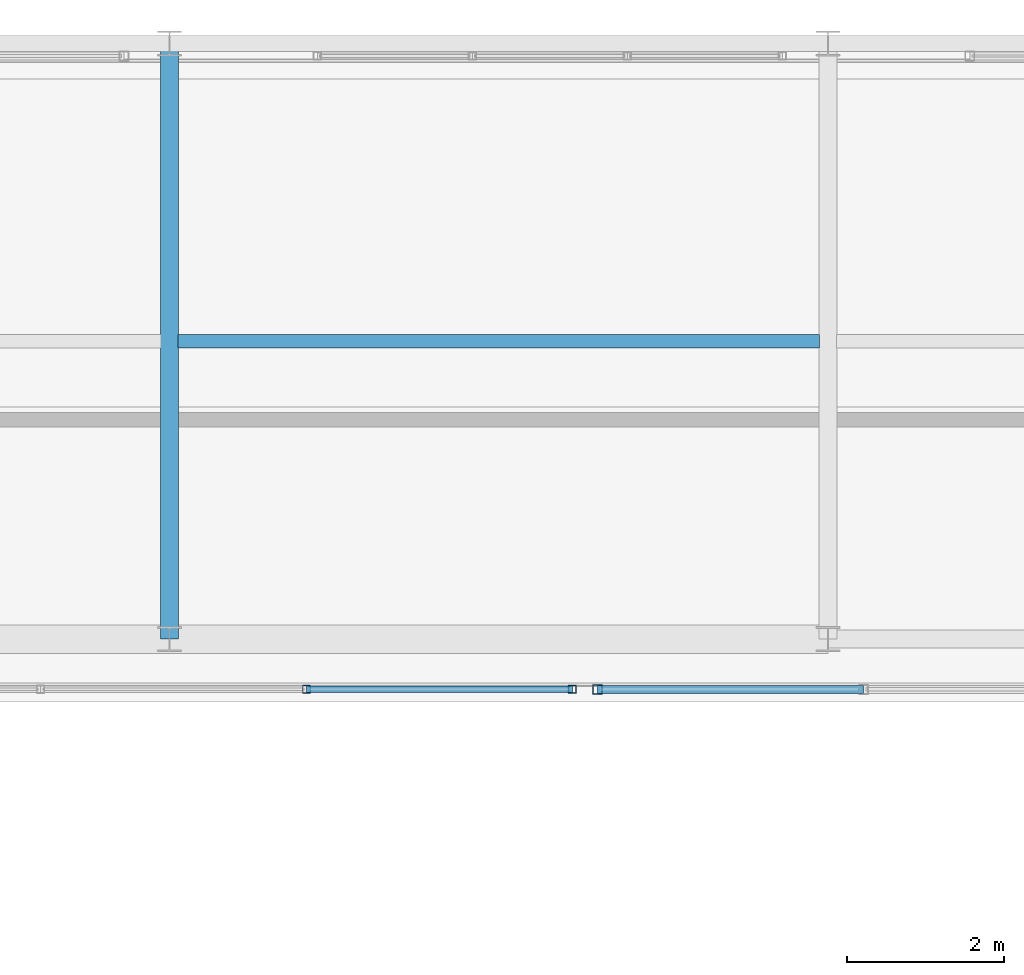
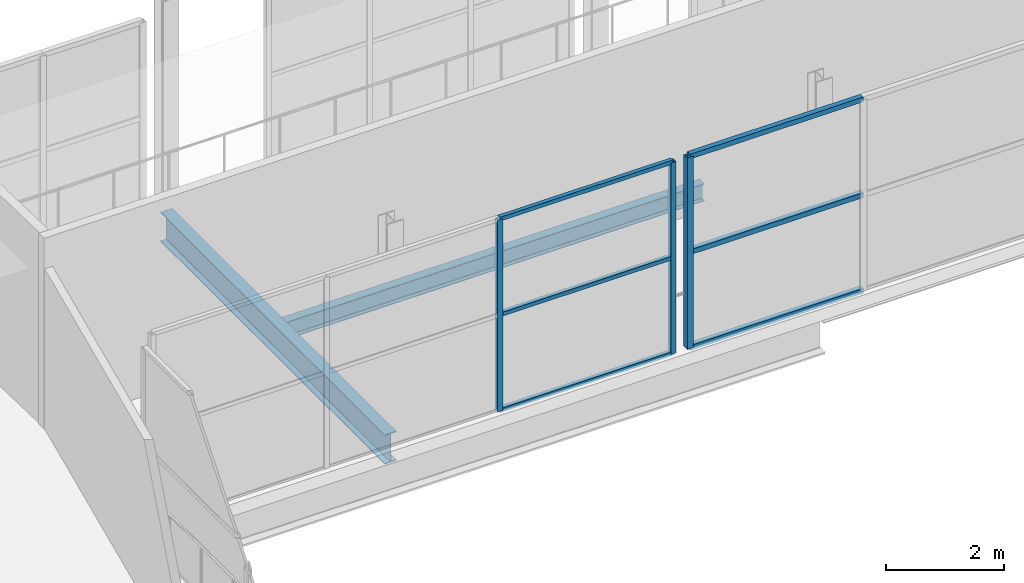
# One storey, part 57 of 151: 9 members, 2 beams, 2 elements without a shape of their own.
"""IFC4 building model written with IfcOpenShell, lengths in metres."""

import ifcopenshell
import ifcopenshell.guid

model = None  # the IFC model being written
_history = None  # IfcOwnerHistory: only IFC2X3 demands one
_inside = {}  # id of a spatial element -> (the spatial element, [elements in it])
_under = {}  # id of a project, library or spatial element -> (it, [spatial elements below it])
_declared = {}  # id of a project -> (the project, [libraries it declares])
_typed = {}  # id of a type object -> (the type object, [elements of that type])
_made_of = {}  # id of a material, layer set ... -> (it, [elements and type objects made of it])


def new_model(schema):
    """Start an empty IFC model of exactly this schema.

    Asked for "IFC4X3", IfcOpenShell would pick the latest addendum, in which some entities
    have other attributes; the version numbers below select the first issue.
    IFC2X3 requires an IfcOwnerHistory on every rooted entity: one is made here for all.
    """
    global model, _history
    if schema == "IFC4X3":
        model = ifcopenshell.file(schema_version=(4, 3, 0, 0))
    else:
        model = ifcopenshell.file(schema=schema)
    _inside.clear()
    _under.clear()
    _declared.clear()
    _typed.clear()
    _made_of.clear()
    _history = None
    if model.schema == "IFC2X3":
        org = make("IfcOrganization", Name="unknown")
        user = make(
            "IfcPersonAndOrganization",
            ThePerson=make("IfcPerson", FamilyName="unknown"),
            TheOrganization=org,
        )
        app = make(
            "IfcApplication",
            ApplicationDeveloper=org,
            Version="unknown",
            ApplicationFullName="unknown",
            ApplicationIdentifier="unknown",
        )
        _history = make(
            "IfcOwnerHistory",
            OwningUser=user,
            OwningApplication=app,
            ChangeAction="ADDED",
            CreationDate=0,
        )
    return model


def make(cls, **values):
    """One entity of the class cls with the attributes given. An attribute that is None is left unset."""
    return model.create_entity(
        cls, **{name: value for name, value in values.items() if value is not None}
    )


def rooted(cls, **values):
    """An entity with a GlobalId (a new one), such as an element, a storey or a relation."""
    return make(cls, GlobalId=ifcopenshell.guid.new(), OwnerHistory=_history, **values)


def si_unit(unit_type, name, prefix=None):
    """IfcSIUnit, for example si_unit("LENGTHUNIT", "METRE", prefix="MILLI")."""
    return make("IfcSIUnit", UnitType=unit_type, Prefix=prefix, Name=name)


def assignment(units):
    """IfcUnitAssignment: the units of a project."""
    return None if units is None else make("IfcUnitAssignment", Units=units)


def point(xyz):
    """IfcCartesianPoint."""
    return None if xyz is None else make("IfcCartesianPoint", Coordinates=xyz)


def direction(xyz):
    """IfcDirection."""
    return None if xyz is None else make("IfcDirection", DirectionRatios=xyz)


def frame(location, z_axis=None, x_axis=None):
    """IfcAxis2Placement3D, a coordinate frame: its origin and axes. An axis left out is left unset."""
    return make(
        "IfcAxis2Placement3D",
        Location=point(location),
        Axis=direction(z_axis),
        RefDirection=direction(x_axis),
    )


def frame_2d(location, x_axis=None):
    """IfcAxis2Placement2D, a coordinate frame in the plane: its origin and x axis."""
    return make(
        "IfcAxis2Placement2D", Location=point(location), RefDirection=direction(x_axis)
    )


def origin():
    """The frame at (0, 0, 0) with its axes left unset."""
    return frame((0.0, 0.0, 0.0))


def origin_2d():
    """The frame at (0, 0) in the plane with its x axis left unset."""
    return frame_2d((0.0, 0.0))


def place(relative_to, where):
    """IfcLocalPlacement: puts the frame where relative to a parent placement (None: the world)."""
    return make(
        "IfcLocalPlacement", PlacementRelTo=relative_to, RelativePlacement=where
    )


def context(
    kind, dimensions, precision=None, world=None, true_north=None, identifier=None
):
    """IfcGeometricRepresentationContext, for example the 3D "Model" context."""
    return make(
        "IfcGeometricRepresentationContext",
        ContextIdentifier=identifier,
        ContextType=kind,
        CoordinateSpaceDimension=dimensions,
        Precision=precision,
        WorldCoordinateSystem=world,
        TrueNorth=true_north,
    )


def subcontext(parent, identifier, kind, view, scale=None):
    """IfcGeometricRepresentationSubContext, for example "Body" below "Model"."""
    return make(
        "IfcGeometricRepresentationSubContext",
        ContextIdentifier=identifier,
        ContextType=kind,
        ParentContext=parent,
        TargetScale=scale,
        TargetView=view,
    )


def project(units=None, contexts=None):
    """IfcProject with its units and contexts."""
    return rooted(
        "IfcProject",
        Name="project",
        RepresentationContexts=contexts,
        UnitsInContext=assignment(units),
    )


def spatial(cls, under=None, at=None, **own):
    """A site, building, storey or space (cls), placed at a placement, below another one or the project."""
    s = rooted(cls, ObjectPlacement=at, **own)
    if under is not None:
        _under.setdefault(under.id(), (under, []))[1].append(s)
    return s


def profile(cls, at=None, kind="AREA", **sizes):
    """A parametric profile (cls). Its sizes go by their IFC names, for example OverallWidth=200.0."""
    return make(cls, ProfileType=kind, Position=at, **sizes)


def hollow_rectangle(**sizes):
    """IfcRectangleHollowProfileDef."""
    return profile("IfcRectangleHollowProfileDef", **sizes)


def i_section(**sizes):
    """IfcIShapeProfileDef."""
    return profile("IfcIShapeProfileDef", **sizes)


def extrude(swept, where, along, depth):
    """IfcExtrudedAreaSolid: the profile swept, set in the frame where, extruded along a direction by depth."""
    return make(
        "IfcExtrudedAreaSolid",
        SweptArea=swept,
        Position=where,
        ExtrudedDirection=direction(along),
        Depth=depth,
    )


def shape(context_of_items, identifier, shape_type, items):
    """IfcShapeRepresentation: the items that make up one representation, for example the "Body"."""
    return make(
        "IfcShapeRepresentation",
        ContextOfItems=context_of_items,
        RepresentationIdentifier=identifier,
        RepresentationType=shape_type,
        Items=items,
    )


def material(Name=None, Category=None):
    """IfcMaterial."""
    return make("IfcMaterial", Name=Name, Category=Category)


def material_profile(
    of_material, cross_section, Name=None, Category=None, Priority=None
):
    """IfcMaterialProfile: a cross section and its material."""
    return make(
        "IfcMaterialProfile",
        Name=Name,
        Material=of_material,
        Profile=cross_section,
        Priority=Priority,
        Category=Category,
    )


def profile_set(profiles, Name=None, composite=None):
    """IfcMaterialProfileSet."""
    return make(
        "IfcMaterialProfileSet",
        Name=Name,
        MaterialProfiles=profiles,
        CompositeProfile=composite,
    )


def made_of(thing, what):
    """Note that an element or type object is made of a material, layer set ...; save() writes the relation."""
    if what is not None:
        _made_of.setdefault(what.id(), (what, []))[1].append(thing)
    return thing


def type_object(cls, material=None, **own):
    """A type object (cls), such as IfcWallType, which elements share."""
    return made_of(rooted(cls, **own), material)


def element(
    cls,
    number,
    at=None,
    inside=None,
    cuts=None,
    type_object=None,
    material=None,
    context=None,
    identifier="Body",
    shape_type=None,
    held_by="IfcProductDefinitionShape",
    body=None,
    shapes=None,
    **own,
):
    """One element of the class cls, such as IfcWall. Its Tag is "e" and its number.

    at: its placement. inside: the storey or other place that contains it. cuts: it is an
    opening in that element (IfcRelVoidsElement). A single representation is given by context,
    identifier, shape_type and body (its items); several are given by shapes. held_by: the class
    of the entity that holds the representations. save() writes the other relations.
    """
    e = rooted(cls, Tag="e%d" % number, ObjectPlacement=at, **own)
    if body is not None:
        shapes = [shape(context, identifier, shape_type, body)]
    if shapes is not None:
        e.Representation = make(held_by, Representations=shapes)
    if inside is not None:
        _inside.setdefault(inside.id(), (inside, []))[1].append(e)
    if cuts is not None:
        rooted(
            "IfcRelVoidsElement", RelatingBuildingElement=cuts, RelatedOpeningElement=e
        )
    if type_object is not None:
        _typed.setdefault(type_object.id(), (type_object, []))[1].append(e)
    return made_of(e, material)


def aggregate(whole, parts):
    """IfcRelAggregates: a whole, such as a stair, and the parts it consists of."""
    return rooted("IfcRelAggregates", RelatingObject=whole, RelatedObjects=parts)


def save(model, path):
    """Write the relations noted so far, then the file.

    IfcRelAggregates (storeys below a building ...), IfcRelContainedInSpatialStructure (elements
    in a storey), IfcRelDefinesByType, IfcRelAssociatesMaterial and IfcRelDeclares: one each for
    every whole, place, type object, material and project.
    """
    for whole, parts in _under.values():
        aggregate(whole, parts)
    for where, things in _inside.values():
        rooted(
            "IfcRelContainedInSpatialStructure",
            RelatedElements=things,
            RelatingStructure=where,
        )
    for kind, things in _typed.values():
        rooted("IfcRelDefinesByType", RelatedObjects=things, RelatingType=kind)
    for what, things in _made_of.values():
        rooted("IfcRelAssociatesMaterial", RelatedObjects=things, RelatingMaterial=what)
    for by, libraries in _declared.values():
        rooted("IfcRelDeclares", RelatingContext=by, RelatedDefinitions=libraries)
    model.write(path)


model = new_model("IFC4")

# Units and contexts
model_context = context("Model", 3, precision=1e-05, world=origin(), true_north=direction((0.0, 1.0)))
body_context = subcontext(model_context, "Body", "Model", "MODEL_VIEW")
ifc_project = project(units=[si_unit("LENGTHUNIT", "METRE"), si_unit("AREAUNIT", "SQUARE_METRE"), si_unit("VOLUMEUNIT", "CUBIC_METRE"), si_unit("PLANEANGLEUNIT", "RADIAN"), si_unit("MASSUNIT", "GRAM", prefix="KILO")], contexts=[model_context])

# Site, building, storey
site_placement = place(None, origin())
site = spatial("IfcSite", under=ifc_project, at=site_placement, CompositionType="ELEMENT")
building_placement = place(site_placement, origin())
building = spatial("IfcBuilding", under=site, at=building_placement, Name="Zuvorla Pavilion Media Centre", CompositionType="ELEMENT")
storey_placement = place(building_placement, frame((0.0, 0.0, 13.800048828125)))
storey = spatial("IfcBuildingStorey", under=building, at=storey_placement, Name="L03", CompositionType="ELEMENT", Elevation=13.800048828125)

# Beams
ifc_material_1 = material(Name="Steel S355", Category="steel")
ifc_material_profile_1 = material_profile(ifc_material_1, i_section(OverallWidth=0.172119140625, OverallDepth=0.35791015625, WebThickness=0.008056640625, FlangeThickness=0.012939453125, FilletRadius=0.01025390625, at=origin_2d()), Name="UB 356x171x57")
ifc_profile_set_1 = profile_set([ifc_material_profile_1], Name="Steel S355")
beam_type_1 = type_object("IfcBeamType", Name="BM-UB356", PredefinedType="JOIST", material=ifc_profile_set_1)
beam_1_placement = place(storey_placement, frame((33.3095703125, 85.800048828125, -0.43701171875), z_axis=(1.0, 0.0, 0.0), x_axis=(0.0, 1.0, 0.0)))
element("IfcBeam", 1, at=beam_1_placement, inside=storey, type_object=beam_type_1, Name="L03 joist J03 1239", PredefinedType="JOIST", context=body_context, shape_type="SweptSolid", body=[
    extrude(i_section(OverallWidth=0.172119140625, OverallDepth=0.35791015625, WebThickness=0.008056640625, FlangeThickness=0.012939453125, FilletRadius=0.01025390625, at=origin_2d()), origin(), (0.0, 0.0, 1.0), 8.180908203125),
])
ifc_material_profile_2 = material_profile(ifc_material_1, i_section(OverallWidth=0.22900390625, OverallDepth=0.6123046875, WebThickness=0.011962890625, FlangeThickness=0.01953125, FilletRadius=0.0126953125, at=origin_2d()), Name="UB 610x229x125")
ifc_profile_set_2 = profile_set([ifc_material_profile_2], Name="Steel S355")
beam_type_2 = type_object("IfcBeamType", Name="BM-UB610", PredefinedType="BEAM", material=ifc_profile_set_2)
beam_2_placement = place(storey_placement, frame((33.199951171875, 82.0, -0.564208984375), z_axis=(0.0, 1.0, 0.0), x_axis=(-1.0, 0.0, 0.0)))
element("IfcBeam", 2, at=beam_2_placement, inside=storey, type_object=beam_type_2, Name="L03 beam B07 1158", PredefinedType="BEAM", context=body_context, shape_type="SweptSolid", body=[
    extrude(i_section(OverallWidth=0.22900390625, OverallDepth=0.6123046875, WebThickness=0.011962890625, FlangeThickness=0.01953125, FilletRadius=0.0126953125, at=origin_2d()), origin(), (0.0, 0.0, 1.0), 7.60009765625),
])

# Curtain wall, members
ifc_material_2 = material(Name="Unitised anodised aluminium and solar glass curtain wall", Category="aluminium")
curtain_wall_type_1 = type_object("IfcCurtainWallType", Name="CW-SYS-30", PredefinedType="USERDEFINED", material=ifc_material_2)
curtain_wall_1_placement = place(storey_placement, origin())
curtain_wall_1 = element("IfcCurtainWall", 3, at=curtain_wall_1_placement, inside=storey, type_object=curtain_wall_type_1, Name="L03 curtain wall CW30 150", ObjectType="CURTAIN WALL", PredefinedType="USERDEFINED")
ifc_material_3 = material(Name="Anodised aluminium 6063-T6", Category="aluminium")
ifc_material_profile_3 = material_profile(ifc_material_3, hollow_rectangle(XDim=0.10009765625, YDim=0.10009765625, WallThickness=0.00439453125, at=origin_2d()), Name="ALU MULL 100x100")
ifc_profile_set_3 = profile_set([ifc_material_profile_3], Name="Anodised aluminium 6063-T6")
member_type_1 = type_object("IfcMemberType", Name="CW-MULL-100", PredefinedType="MULLION", material=ifc_profile_set_3)
member_1_placement = place(storey_placement, frame((38.340087890625, 81.360107421875, 0.0), z_axis=(0.0, 0.0, 1.0), x_axis=(1.0, 0.0, 0.0)))
member_1 = element("IfcMember", 4, at=member_1_placement, type_object=member_type_1, Name="CW30 mullion 1", PredefinedType="MULLION", context=body_context, shape_type="SweptSolid", body=[
    extrude(hollow_rectangle(XDim=0.10009765625, YDim=0.10009765625, WallThickness=0.00439453125, at=origin_2d()), origin(), (0.0, 0.0, 1.0), 3.9599609375),
])
member_2_placement = place(storey_placement, frame((34.94677734375, 81.360107421875, 0.0), z_axis=(0.0, 0.0, 1.0), x_axis=(1.0, 0.0, 0.0)))
member_2 = element("IfcMember", 5, at=member_2_placement, type_object=member_type_1, Name="CW30 mullion 2", PredefinedType="MULLION", context=body_context, shape_type="SweptSolid", body=[
    extrude(hollow_rectangle(XDim=0.10009765625, YDim=0.10009765625, WallThickness=0.00439453125, at=origin_2d()), origin(), (0.0, 0.0, 1.0), 3.9599609375),
])

curtain_wall_type_2 = type_object("IfcCurtainWallType", Name="CW-SYS-33", PredefinedType="USERDEFINED", material=ifc_material_2)
curtain_wall_2_placement = place(storey_placement, origin())
curtain_wall_2 = element("IfcCurtainWall", 6, at=curtain_wall_2_placement, inside=storey, type_object=curtain_wall_type_2, Name="L03 curtain wall CW33 153", ObjectType="CURTAIN WALL", PredefinedType="USERDEFINED")
ifc_material_profile_4 = material_profile(ifc_material_3, hollow_rectangle(XDim=0.1201171875, YDim=0.1201171875, WallThickness=0.0048828125, at=origin_2d()), Name="ALU MULL 120x120")
ifc_profile_set_4 = profile_set([ifc_material_profile_4], Name="Anodised aluminium 6063-T6")
member_type_2 = type_object("IfcMemberType", Name="CW-MULL-120", PredefinedType="MULLION", material=ifc_profile_set_4)
member_3_placement = place(storey_placement, frame((38.659912109375, 81.360107421875, 0.0), z_axis=(0.0, 0.0, 1.0), x_axis=(1.0, 0.0, 0.0)))
member_3 = element("IfcMember", 7, at=member_3_placement, type_object=member_type_2, Name="CW33 mullion 4", PredefinedType="MULLION", context=body_context, shape_type="SweptSolid", body=[
    extrude(hollow_rectangle(XDim=0.1201171875, YDim=0.1201171875, WallThickness=0.0048828125, at=origin_2d()), origin(), (0.0, 0.0, 1.0), 3.9599609375),
])
ifc_material_profile_5 = material_profile(ifc_material_3, hollow_rectangle(XDim=0.10009765625, YDim=0.10009765625, WallThickness=0.00439453125, at=origin_2d()), Name="ALU TRAN 100x100")
ifc_profile_set_5 = profile_set([ifc_material_profile_5], Name="Anodised aluminium 6063-T6")
member_type_3 = type_object("IfcMemberType", Name="CW-TRAN-100", PredefinedType="USERDEFINED", material=ifc_profile_set_5)
member_4_placement = place(storey_placement, frame((42.05322265625, 81.360107421875, 0.0), z_axis=(-1.0, 0.0, 0.0), x_axis=(0.0, -1.0, 0.0)))
member_4 = element("IfcMember", 8, at=member_4_placement, type_object=member_type_3, Name="CW33 transom 3.1", ObjectType="TRANSOM", PredefinedType="USERDEFINED", context=body_context, shape_type="SweptSolid", body=[
    extrude(hollow_rectangle(XDim=0.10009765625, YDim=0.10009765625, WallThickness=0.00439453125, at=origin_2d()), origin(), (0.0, 0.0, 1.0), 3.393310546875),
])
member_5_placement = place(storey_placement, frame((42.05322265625, 81.360107421875, 1.97998046875), z_axis=(-1.0, 0.0, 0.0), x_axis=(0.0, -1.0, 0.0)))
member_5 = element("IfcMember", 9, at=member_5_placement, type_object=member_type_3, Name="CW33 transom 3.2", ObjectType="TRANSOM", PredefinedType="USERDEFINED", context=body_context, shape_type="SweptSolid", body=[
    extrude(hollow_rectangle(XDim=0.10009765625, YDim=0.10009765625, WallThickness=0.00439453125, at=origin_2d()), origin(), (0.0, 0.0, 1.0), 3.393310546875),
])
member_6_placement = place(storey_placement, frame((42.05322265625, 81.360107421875, 3.9599609375), z_axis=(-1.0, 0.0, 0.0), x_axis=(0.0, -1.0, 0.0)))
member_6 = element("IfcMember", 10, at=member_6_placement, type_object=member_type_3, Name="CW33 transom 3.3", ObjectType="TRANSOM", PredefinedType="USERDEFINED", context=body_context, shape_type="SweptSolid", body=[
    extrude(hollow_rectangle(XDim=0.10009765625, YDim=0.10009765625, WallThickness=0.00439453125, at=origin_2d()), origin(), (0.0, 0.0, 1.0), 3.393310546875),
])
aggregate(curtain_wall_2, [member_3, member_4, member_5, member_6])

# Member
ifc_material_profile_6 = material_profile(ifc_material_3, hollow_rectangle(XDim=0.080078125, YDim=0.080078125, WallThickness=0.00390625, at=origin_2d()), Name="ALU TRAN 80x80")
ifc_profile_set_6 = profile_set([ifc_material_profile_6], Name="Anodised aluminium 6063-T6")
member_type_4 = type_object("IfcMemberType", Name="CW-TRAN-80", PredefinedType="USERDEFINED", material=ifc_profile_set_6)
member_7_placement = place(storey_placement, frame((38.340087890625, 81.360107421875, 0.0), z_axis=(-1.0, 0.0, 0.0), x_axis=(0.0, -1.0, 0.0)))
member_7 = element("IfcMember", 11, at=member_7_placement, type_object=member_type_4, Name="CW30 transom 1.1", ObjectType="TRANSOM", PredefinedType="USERDEFINED", context=body_context, shape_type="SweptSolid", body=[
    extrude(hollow_rectangle(XDim=0.080078125, YDim=0.080078125, WallThickness=0.00390625, at=origin_2d()), origin(), (0.0, 0.0, 1.0), 3.393310546875),
])

member_8_placement = place(storey_placement, frame((38.340087890625, 81.360107421875, 1.97998046875), z_axis=(-1.0, 0.0, 0.0), x_axis=(0.0, -1.0, 0.0)))
member_8 = element("IfcMember", 12, at=member_8_placement, type_object=member_type_4, Name="CW30 transom 1.2", ObjectType="TRANSOM", PredefinedType="USERDEFINED", context=body_context, shape_type="SweptSolid", body=[
    extrude(hollow_rectangle(XDim=0.080078125, YDim=0.080078125, WallThickness=0.00390625, at=origin_2d()), origin(), (0.0, 0.0, 1.0), 3.393310546875),
])

member_9_placement = place(storey_placement, frame((38.340087890625, 81.360107421875, 3.9599609375), z_axis=(-1.0, 0.0, 0.0), x_axis=(0.0, -1.0, 0.0)))
member_9 = element("IfcMember", 13, at=member_9_placement, type_object=member_type_4, Name="CW30 transom 1.3", ObjectType="TRANSOM", PredefinedType="USERDEFINED", context=body_context, shape_type="SweptSolid", body=[
    extrude(hollow_rectangle(XDim=0.080078125, YDim=0.080078125, WallThickness=0.00390625, at=origin_2d()), origin(), (0.0, 0.0, 1.0), 3.393310546875),
])

aggregate(curtain_wall_1, [member_1, member_2, member_7, member_8, member_9])

save(model, "model.ifc")
